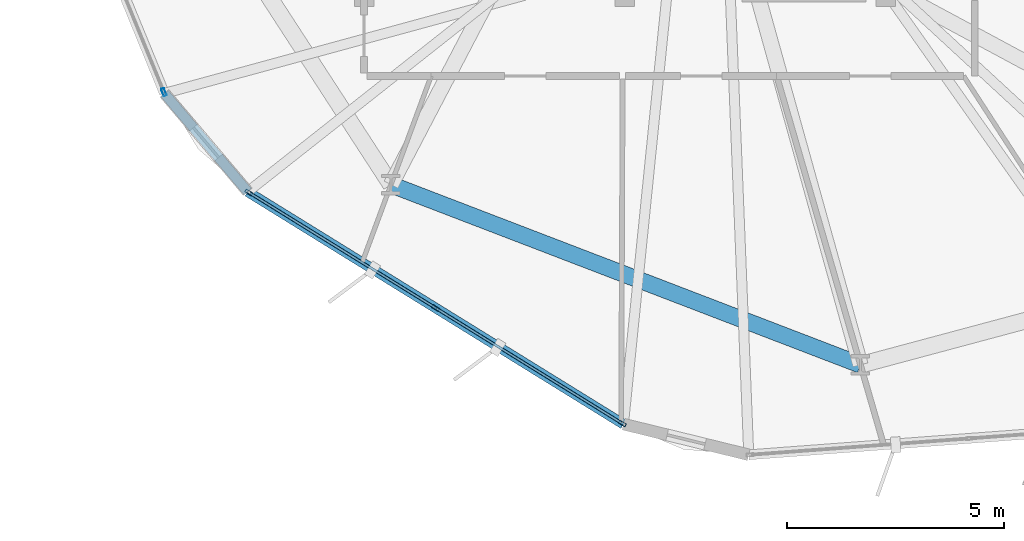
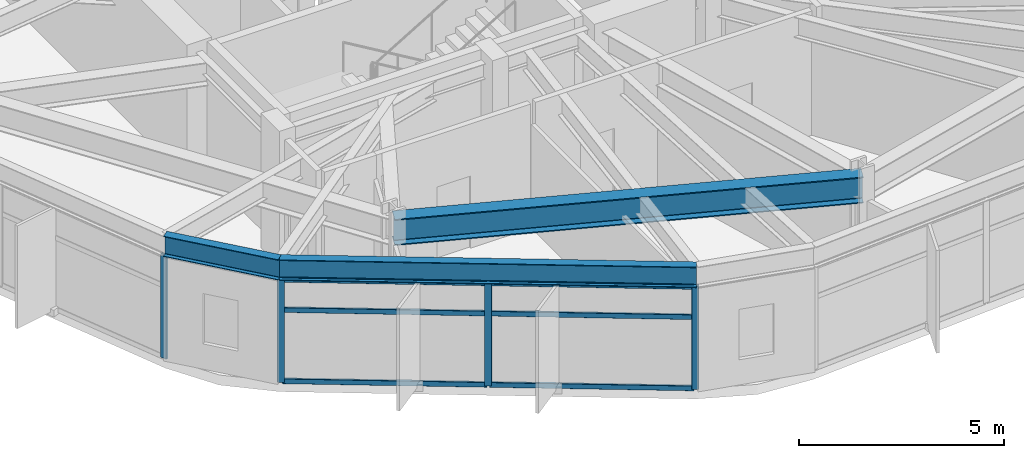
# One storey, part 2 of 22: 10 members, 3 beams, 2 elements without a shape of their own.
"""IFC4 building model written with IfcOpenShell, lengths in metres."""

from ifc_helpers import new_model, si_unit, direction, frame, origin, origin_2d, place, context, subcontext, project, spatial, hollow_rectangle, i_section, extrude, material, layer, layer_set, material_profile, profile_set, type_object, element, aggregate, save


model = new_model("IFC4")

# Units and contexts
model_context = context("Model", 3, precision=1e-05, world=origin(), true_north=direction((0.0, 1.0)))
body_context = subcontext(model_context, "Body", "Model", "MODEL_VIEW")
ifc_project = project(units=[si_unit("LENGTHUNIT", "METRE"), si_unit("AREAUNIT", "SQUARE_METRE"), si_unit("VOLUMEUNIT", "CUBIC_METRE"), si_unit("PLANEANGLEUNIT", "RADIAN"), si_unit("MASSUNIT", "GRAM", prefix="KILO")], contexts=[model_context])

# Site, building, storey
site_placement = place(None, origin())
site = spatial("IfcSite", under=ifc_project, at=site_placement, CompositionType="ELEMENT")
building_placement = place(site_placement, origin())
building = spatial("IfcBuilding", under=site, at=building_placement, Name="Soratama Intermodal Tower", CompositionType="ELEMENT")
storey_placement = place(building_placement, frame((0.0, 0.0, 46.60009765625)))
storey = spatial("IfcBuildingStorey", under=building, at=storey_placement, Name="L10", CompositionType="ELEMENT", Elevation=46.60009765625)

# Beams
ifc_material_1 = material(Name="Structural steel ASTM A992 Grade 50", Category="steel")
ifc_material_profile_1 = material_profile(ifc_material_1, i_section(OverallWidth=0.382080078125, OverallDepth=0.779052734375, WebThickness=0.01806640625, FlangeThickness=0.030029296875, FilletRadius=0.01806640625, at=origin_2d()), Name="W30X191")
ifc_profile_set_1 = profile_set([ifc_material_profile_1], Name="Structural steel ASTM A992 Grade 50")
beam_type_1 = type_object("IfcBeamType", Name="BM-RING-W30X191", PredefinedType="BEAM", material=ifc_profile_set_1)
beam_1_placement = place(storey_placement, frame((33.218994140625, 10.451904296875, 3.310302734375), z_axis=(0.933584159632, -0.358358224246, 0.0), x_axis=(0.358358224246, 0.933584159632, 0.0)))
element("IfcBeam", 1, at=beam_1_placement, inside=storey, type_object=beam_type_1, Name="BM-L10-RING-07", PredefinedType="BEAM", context=body_context, shape_type="SweptSolid", body=[
    extrude(i_section(OverallWidth=0.382080078125, OverallDepth=0.779052734375, WebThickness=0.01806640625, FlangeThickness=0.030029296875, FilletRadius=0.01806640625, at=origin_2d()), origin(), (0.0, 0.0, 1.0), 11.5693359375),
])
ifc_material_2 = material(Name="Structural steel ASTM A992 Grade 50", Category="steel")
ifc_material_profile_2 = material_profile(ifc_material_2, i_section(OverallWidth=0.22900390625, OverallDepth=0.612060546875, WebThickness=0.011962890625, FlangeThickness=0.01953125, FilletRadius=0.012939453125, at=origin_2d()), Name="W24X84")
ifc_profile_set_2 = profile_set([ifc_material_profile_2], Name="Structural steel ASTM A992 Grade 50")
beam_type_2 = type_object("IfcBeamType", Name="BM-SPN-W24X84", PredefinedType="SPANDREL", material=ifc_profile_set_2)
beam_2_placement = place(storey_placement, frame((28.006103515625, 12.552001953125, 3.393798828125), z_axis=(0.646211517555, -0.763158354851, 0.0), x_axis=(0.763158354851, 0.646211517555, 0.0)))
element("IfcBeam", 2, at=beam_2_placement, inside=storey, type_object=beam_type_2, Name="BS-L10-CRN06", PredefinedType="SPANDREL", context=body_context, shape_type="SweptSolid", body=[
    extrude(i_section(OverallWidth=0.22900390625, OverallDepth=0.612060546875, WebThickness=0.011962890625, FlangeThickness=0.01953125, FilletRadius=0.012939453125, at=origin_2d()), origin(), (0.0, 0.0, 1.0), 2.966552734375),
])
beam_3_placement = place(storey_placement, frame((29.923095703125, 10.2880859375, 3.393798828125), z_axis=(0.850463684265, -0.526033764834, 0.0), x_axis=(0.526033764834, 0.850463684265, 0.0)))
element("IfcBeam", 3, at=beam_3_placement, inside=storey, type_object=beam_type_2, Name="BS-L10-F07", PredefinedType="SPANDREL", context=body_context, shape_type="SweptSolid", body=[
    extrude(i_section(OverallWidth=0.22900390625, OverallDepth=0.612060546875, WebThickness=0.011962890625, FlangeThickness=0.01953125, FilletRadius=0.012939453125, at=origin_2d()), origin(), (0.0, 0.0, 1.0), 10.1650390625),
])

# Curtain wall, member
ifc_material_3 = material(Name="Double-glazed aluminium curtain wall", Category="aluminium")
ifc_layer = layer(ifc_material_3, 0.159912109375)
ifc_layer_set = layer_set([ifc_layer], Name="Double-glazed aluminium curtain wall")
curtain_wall_type = type_object("IfcCurtainWallType", Name="CW-SYS-2", PredefinedType="NOTDEFINED", material=ifc_layer_set)
curtain_wall_1_placement = place(storey_placement, origin())
curtain_wall_1 = element("IfcCurtainWall", 4, at=curtain_wall_1_placement, inside=storey, type_object=curtain_wall_type, Name="L10 Faceted Curtain Wall F06", PredefinedType="NOTDEFINED")
ifc_material_4 = material(Name="Anodised aluminium AA 6063-T6", Category="aluminium")
ifc_material_profile_3 = material_profile(ifc_material_4, hollow_rectangle(XDim=0.074951171875, YDim=0.179931640625, WallThickness=0.006103515625, InnerFilletRadius=0.006103515625, OuterFilletRadius=0.011962890625, at=origin_2d()), Name="CWM180X75X6")
ifc_profile_set_3 = profile_set([ifc_material_profile_3], Name="Anodised aluminium AA 6063-T6")
member_type_1 = type_object("IfcMemberType", Name="MT-CWM-2", PredefinedType="MULLION", material=ifc_profile_set_3)
member_1_placement = place(storey_placement, frame((27.994873046875, 12.580078125, 0.0), z_axis=(0.0, 0.0, 1.0), x_axis=(0.925473287982, 0.378812873636, 0.0)))
member_1 = element("IfcMember", 5, at=member_1_placement, type_object=member_type_1, Name="CW-2 mullion 3", PredefinedType="MULLION", context=body_context, shape_type="SweptSolid", body=[
    extrude(hollow_rectangle(XDim=0.074951171875, YDim=0.179931640625, WallThickness=0.006103515625, InnerFilletRadius=0.006103515625, OuterFilletRadius=0.011962890625, at=origin_2d()), origin(), (0.0, 0.0, 1.0), 3.078857421875),
])
aggregate(curtain_wall_1, [member_1])

# Curtain wall, members
curtain_wall_2_placement = place(storey_placement, origin())
curtain_wall_2 = element("IfcCurtainWall", 6, at=curtain_wall_2_placement, inside=storey, type_object=curtain_wall_type, Name="L10 Faceted Curtain Wall F07", PredefinedType="NOTDEFINED")
member_2_placement = place(storey_placement, frame((29.94873046875, 10.272705078125, 0.0), z_axis=(0.0, 0.0, 1.0), x_axis=(0.526058249289, 0.85044853951, 0.0)))
member_2 = element("IfcMember", 7, at=member_2_placement, type_object=member_type_1, Name="CW-2 mullion 1", PredefinedType="MULLION", context=body_context, shape_type="SweptSolid", body=[
    extrude(hollow_rectangle(XDim=0.074951171875, YDim=0.179931640625, WallThickness=0.006103515625, InnerFilletRadius=0.006103515625, OuterFilletRadius=0.011962890625, at=origin_2d()), origin(), (0.0, 0.0, 1.0), 3.078857421875),
])
member_3_placement = place(storey_placement, frame((34.245849609375, 7.61474609375, 0.0), z_axis=(0.0, 0.0, 1.0), x_axis=(0.526058249289, 0.85044853951, 0.0)))
member_3 = element("IfcMember", 8, at=member_3_placement, type_object=member_type_1, Name="CW-2 mullion 2", PredefinedType="MULLION", context=body_context, shape_type="SweptSolid", body=[
    extrude(hollow_rectangle(XDim=0.074951171875, YDim=0.179931640625, WallThickness=0.006103515625, InnerFilletRadius=0.006103515625, OuterFilletRadius=0.011962890625, at=origin_2d()), origin(), (0.0, 0.0, 1.0), 3.078857421875),
])
member_4_placement = place(storey_placement, frame((38.542724609375, 4.956787109375, 0.0), z_axis=(0.0, 0.0, 1.0), x_axis=(0.526058249289, 0.85044853951, 0.0)))
member_4 = element("IfcMember", 9, at=member_4_placement, type_object=member_type_1, Name="CW-2 mullion 3", PredefinedType="MULLION", context=body_context, shape_type="SweptSolid", body=[
    extrude(hollow_rectangle(XDim=0.074951171875, YDim=0.179931640625, WallThickness=0.006103515625, InnerFilletRadius=0.006103515625, OuterFilletRadius=0.011962890625, at=origin_2d()), origin(), (0.0, 0.0, 1.0), 3.078857421875),
])
ifc_material_5 = material(Name="Anodised aluminium AA 6063-T6", Category="aluminium")
ifc_material_profile_4 = material_profile(ifc_material_5, hollow_rectangle(XDim=0.06494140625, YDim=0.14990234375, WallThickness=0.0048828125, InnerFilletRadius=0.0048828125, OuterFilletRadius=0.010009765625, at=origin_2d()), Name="CWT150X65X5")
ifc_profile_set_4 = profile_set([ifc_material_profile_4], Name="Anodised aluminium AA 6063-T6")
member_type_2 = type_object("IfcMemberType", Name="TT-CWT-1", PredefinedType="USERDEFINED", material=ifc_profile_set_4)
member_5_placement = place(storey_placement, frame((29.974365234375, 10.2568359375, 0.02978515625), z_axis=(0.850437056423, -0.526076812892, 0.0), x_axis=(0.526076812892, 0.850437056423, 0.0)))
member_5 = element("IfcMember", 10, at=member_5_placement, type_object=member_type_2, Name="CW-2 transom 1.1", ObjectType="TRANSOM", PredefinedType="USERDEFINED", context=body_context, shape_type="SweptSolid", body=[
    extrude(hollow_rectangle(XDim=0.06494140625, YDim=0.14990234375, WallThickness=0.0048828125, InnerFilletRadius=0.0048828125, OuterFilletRadius=0.010009765625, at=origin_2d()), origin(), (0.0, 0.0, 1.0), 4.992431640625),
])
member_6_placement = place(storey_placement, frame((29.974365234375, 10.2568359375, 2.14990234375), z_axis=(0.850437056423, -0.526076812892, 0.0), x_axis=(0.526076812892, 0.850437056423, 0.0)))
member_6 = element("IfcMember", 11, at=member_6_placement, type_object=member_type_2, Name="CW-2 transom 1.2", ObjectType="TRANSOM", PredefinedType="USERDEFINED", context=body_context, shape_type="SweptSolid", body=[
    extrude(hollow_rectangle(XDim=0.06494140625, YDim=0.14990234375, WallThickness=0.0048828125, InnerFilletRadius=0.0048828125, OuterFilletRadius=0.010009765625, at=origin_2d()), origin(), (0.0, 0.0, 1.0), 4.992431640625),
])
member_7_placement = place(storey_placement, frame((29.974365234375, 10.2568359375, 3.048828125), z_axis=(0.850437056423, -0.526076812892, 0.0), x_axis=(0.526076812892, 0.850437056423, 0.0)))
member_7 = element("IfcMember", 12, at=member_7_placement, type_object=member_type_2, Name="CW-2 transom 1.3", ObjectType="TRANSOM", PredefinedType="USERDEFINED", context=body_context, shape_type="SweptSolid", body=[
    extrude(hollow_rectangle(XDim=0.06494140625, YDim=0.14990234375, WallThickness=0.0048828125, InnerFilletRadius=0.0048828125, OuterFilletRadius=0.010009765625, at=origin_2d()), origin(), (0.0, 0.0, 1.0), 4.992431640625),
])
member_8_placement = place(storey_placement, frame((34.271240234375, 7.598876953125, 0.02978515625), z_axis=(0.85045058926, -0.52605493556, 0.0), x_axis=(0.52605493556, 0.85045058926, 0.0)))
member_8 = element("IfcMember", 13, at=member_8_placement, type_object=member_type_2, Name="CW-2 transom 2.1", ObjectType="TRANSOM", PredefinedType="USERDEFINED", context=body_context, shape_type="SweptSolid", body=[
    extrude(hollow_rectangle(XDim=0.06494140625, YDim=0.14990234375, WallThickness=0.0048828125, InnerFilletRadius=0.0048828125, OuterFilletRadius=0.010009765625, at=origin_2d()), origin(), (0.0, 0.0, 1.0), 4.99267578125),
])
member_9_placement = place(storey_placement, frame((34.271240234375, 7.598876953125, 2.14990234375), z_axis=(0.85045058926, -0.52605493556, 0.0), x_axis=(0.52605493556, 0.85045058926, 0.0)))
member_9 = element("IfcMember", 14, at=member_9_placement, type_object=member_type_2, Name="CW-2 transom 2.2", ObjectType="TRANSOM", PredefinedType="USERDEFINED", context=body_context, shape_type="SweptSolid", body=[
    extrude(hollow_rectangle(XDim=0.06494140625, YDim=0.14990234375, WallThickness=0.0048828125, InnerFilletRadius=0.0048828125, OuterFilletRadius=0.010009765625, at=origin_2d()), origin(), (0.0, 0.0, 1.0), 4.99267578125),
])
member_10_placement = place(storey_placement, frame((34.271240234375, 7.598876953125, 3.048828125), z_axis=(0.85045058926, -0.52605493556, 0.0), x_axis=(0.52605493556, 0.85045058926, 0.0)))
member_10 = element("IfcMember", 15, at=member_10_placement, type_object=member_type_2, Name="CW-2 transom 2.3", ObjectType="TRANSOM", PredefinedType="USERDEFINED", context=body_context, shape_type="SweptSolid", body=[
    extrude(hollow_rectangle(XDim=0.06494140625, YDim=0.14990234375, WallThickness=0.0048828125, InnerFilletRadius=0.0048828125, OuterFilletRadius=0.010009765625, at=origin_2d()), origin(), (0.0, 0.0, 1.0), 4.99267578125),
])
aggregate(curtain_wall_2, [member_2, member_3, member_4, member_5, member_6, member_7, member_8, member_9, member_10])

save(model, "model.ifc")
